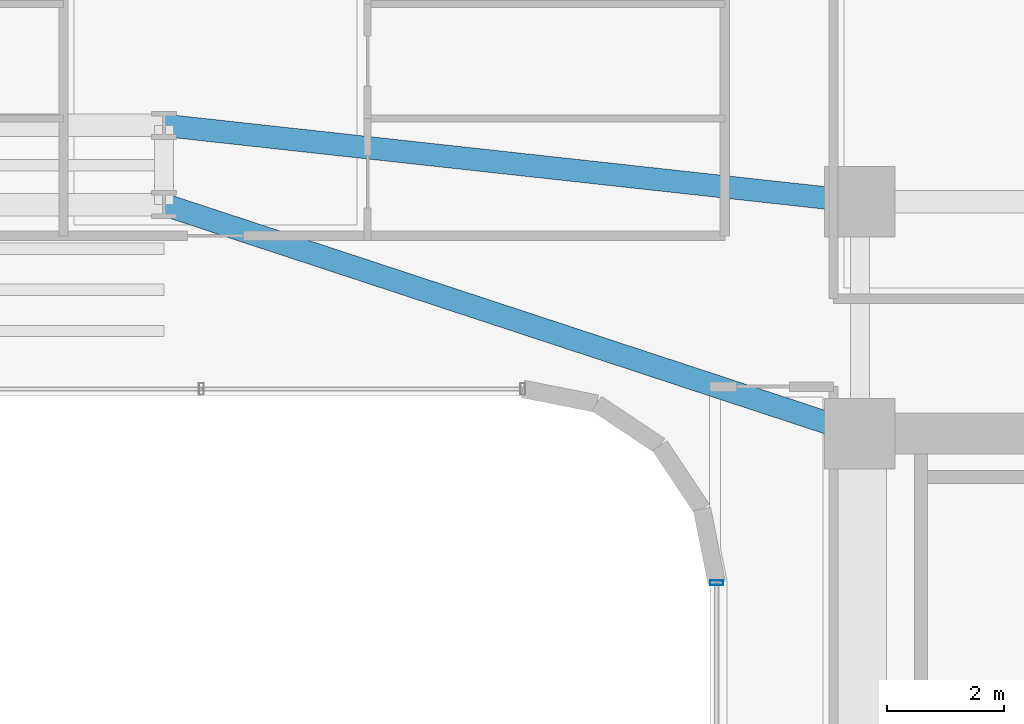
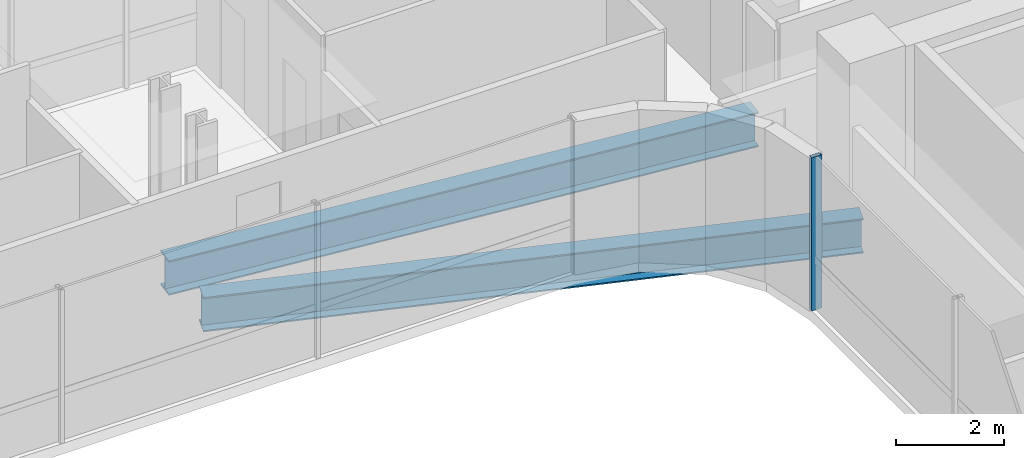
# One storey, part 17 of 38: 2 beams, 1 member, 1 element without a shape of its own.
"""IFC4 building model written with IfcOpenShell, lengths in metres."""

from ifc_helpers import new_model, si_unit, direction, frame, origin, origin_2d, place, context, subcontext, project, spatial, hollow_rectangle, i_section, extrude, source, transform, mapped, material, material_profile, profile_set, type_object, element, aggregate, save


model = new_model("IFC4")

# Units and contexts
model_context = context("Model", 3, precision=1e-05, world=origin(), true_north=direction((0.0, 1.0)))
body_context = subcontext(model_context, "Body", "Model", "MODEL_VIEW")
ifc_project = project(units=[si_unit("LENGTHUNIT", "METRE"), si_unit("AREAUNIT", "SQUARE_METRE"), si_unit("VOLUMEUNIT", "CUBIC_METRE"), si_unit("PLANEANGLEUNIT", "RADIAN"), si_unit("MASSUNIT", "GRAM", prefix="KILO")], contexts=[model_context])

# Site, building, storey
site_placement = place(None, origin())
site = spatial("IfcSite", under=ifc_project, at=site_placement, CompositionType="ELEMENT")
building_placement = place(site_placement, origin())
building = spatial("IfcBuilding", under=site, at=building_placement, Name="Valdorenza Pilgrim Sanctuary Tower", CompositionType="ELEMENT")
storey_placement = place(building_placement, frame((0.0, 0.0, 131.60009765625)))
storey = spatial("IfcBuildingStorey", under=building, at=storey_placement, Name="L33", CompositionType="ELEMENT", Elevation=131.60009765625)

# Beams
ifc_material_1 = material(Name="Steel ASTM A992 Grade 50", Category="steel")
ifc_material_profile_1 = material_profile(ifc_material_1, i_section(OverallWidth=0.382080078125, OverallDepth=0.779052734375, WebThickness=0.01806640625, FlangeThickness=0.030029296875, at=origin_2d()), Name="W30X191")
ifc_profile_set_1 = profile_set([ifc_material_profile_1], Name="Steel ASTM A992 Grade 50")
beam_type = type_object("IfcBeamType", Name="STR-BM-GRD-W30", PredefinedType="BEAM", material=ifc_profile_set_1)
shared_shape_1 = source(origin(), body_context, "Body", "SweptSolid", [
    extrude(i_section(OverallWidth=0.382080078125, OverallDepth=0.779052734375, WebThickness=0.01806640625, FlangeThickness=0.030029296875, at=origin_2d()), origin(), (0.0, 0.0, 1.0), 12.475341796875),
])
beam_1_placement = place(storey_placement, frame((4.0, 13.449951171875, -0.629638671875), z_axis=(0.949881908141, -0.312608957943, 0.0), x_axis=(0.312608957943, 0.949881908141, 0.0)))
element("IfcBeam", 1, at=beam_1_placement, inside=storey, type_object=beam_type, Name="L33 Floor Girder KNK-G3", PredefinedType="BEAM", context=body_context, shape_type="MappedRepresentation", body=[
    mapped(shared_shape_1, transform((0.0, 0.0, 0.0), x_axis=(1.0, 0.0, 0.0), y_axis=(0.0, 1.0, 0.0), z_axis=(0.0, 0.0, 1.0), scale=1.0)),
])
shared_shape_2 = source(origin(), body_context, "Body", "SweptSolid", [
    extrude(i_section(OverallWidth=0.382080078125, OverallDepth=0.779052734375, WebThickness=0.01806640625, FlangeThickness=0.030029296875, at=origin_2d()), origin(), (0.0, 0.0, 1.0), 11.921142578125),
])
beam_2_placement = place(storey_placement, frame((4.0, 14.800048828125, -0.629638671875), z_axis=(0.994035876607, -0.10905354656, 0.0), x_axis=(0.10905354656, 0.994035876607, 0.0)))
element("IfcBeam", 2, at=beam_2_placement, inside=storey, type_object=beam_type, Name="L33 Floor Girder KNK-G6", PredefinedType="BEAM", context=body_context, shape_type="MappedRepresentation", body=[
    mapped(shared_shape_2, transform((0.0, 0.0, 0.0), x_axis=(1.0, 0.0, 0.0), y_axis=(0.0, 1.0, 0.0), z_axis=(0.0, 0.0, 1.0), scale=1.0)),
])

# Curtain wall, member
ifc_material_2 = material(Name="Curtain-wall IGU glazing", Category="glass")
curtain_wall_type = type_object("IfcCurtainWallType", Name="CW-SYS-03", PredefinedType="NOTDEFINED", material=ifc_material_2)
curtain_wall_placement = place(storey_placement, origin())
curtain_wall = element("IfcCurtainWall", 3, at=curtain_wall_placement, inside=storey, type_object=curtain_wall_type, Name="L33 Curtain Wall CW-L33-1-31", PredefinedType="NOTDEFINED")
ifc_material_3 = material(Name="Anodised aluminium AW-6060", Category="aluminium")
ifc_material_profile_2 = material_profile(ifc_material_3, hollow_rectangle(XDim=0.0849609375, YDim=0.219970703125, WallThickness=0.0048828125, at=origin_2d()), Name="ALU-M 220x85x5")
ifc_profile_set_2 = profile_set([ifc_material_profile_2], Name="Anodised aluminium AW-6060")
member_type = type_object("IfcMemberType", Name="CW-MUL-03", PredefinedType="MULLION", material=ifc_profile_set_2)
shared_shape_3 = source(origin(), body_context, "Body", "SweptSolid", [
    extrude(hollow_rectangle(XDim=0.0849609375, YDim=0.219970703125, WallThickness=0.0048828125, at=origin_2d()), origin(), (0.0, 0.0, 1.0), 3.4599609375),
])
member_placement = place(storey_placement, frame((13.409912109375, 7.0107421875, 0.0), z_axis=(0.0, 0.0, 1.0), x_axis=(0.0, 1.0, 0.0)))
member = element("IfcMember", 4, at=member_placement, type_object=member_type, Name="CW-L33-1-31 Mullion 4", PredefinedType="MULLION", context=body_context, shape_type="MappedRepresentation", body=[
    mapped(shared_shape_3, transform((0.0, 0.0, 0.0), x_axis=(1.0, 0.0, 0.0), y_axis=(0.0, 1.0, 0.0), z_axis=(0.0, 0.0, 1.0), scale=1.0)),
])
aggregate(curtain_wall, [member])

save(model, "model.ifc")
